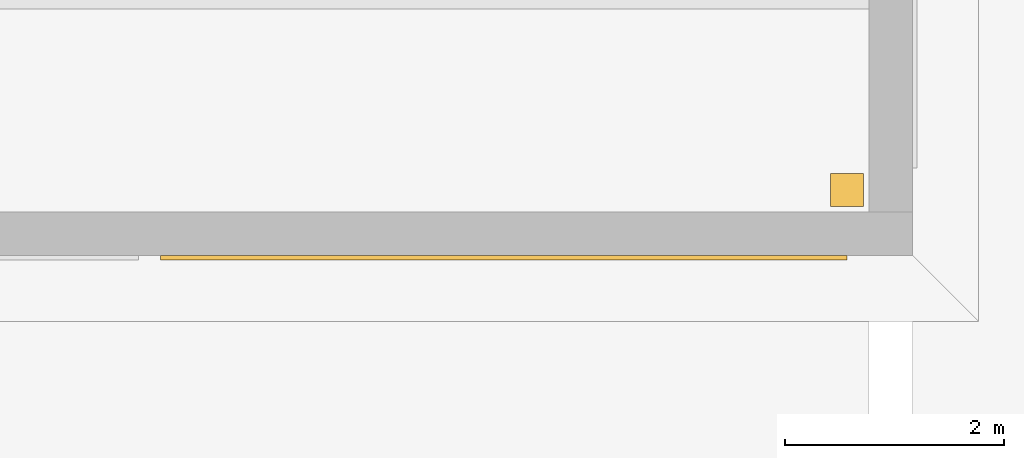
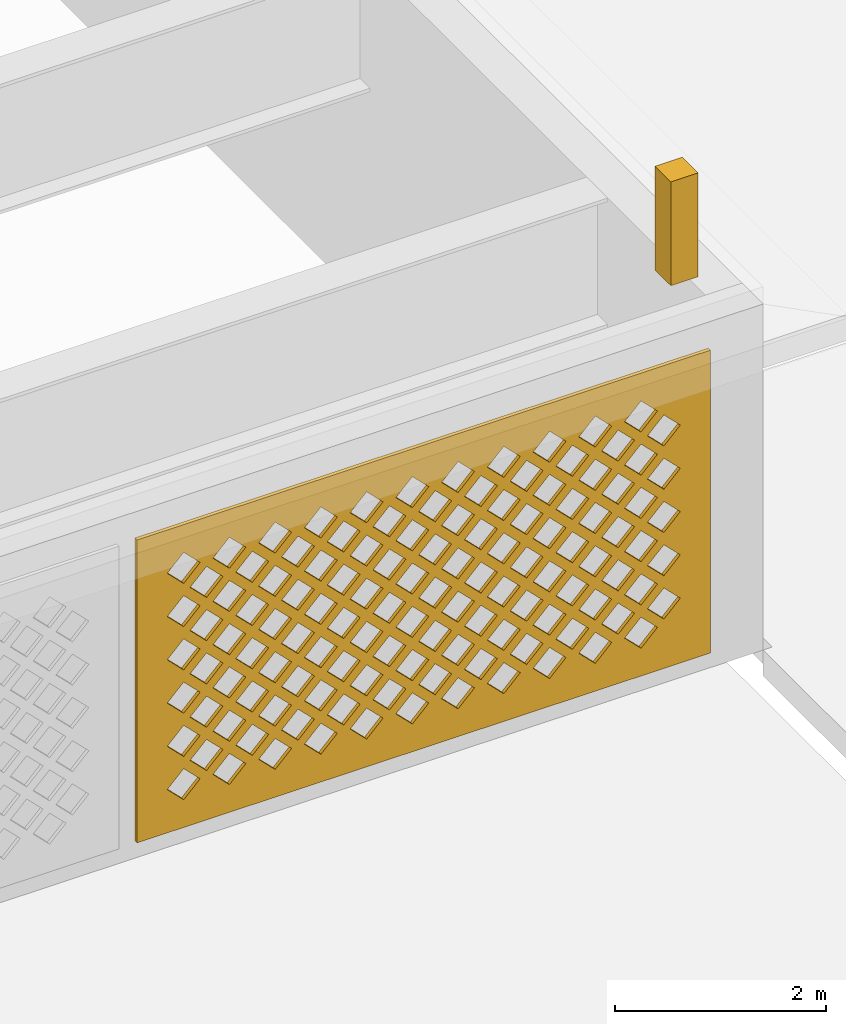
# One storey, part 21 of 63: 2 coverings.
"""IFC4 building model written with IfcOpenShell, lengths in metres."""

import ifcopenshell
import ifcopenshell.guid

model = None  # the IFC model being written
_history = None  # IfcOwnerHistory: only IFC2X3 demands one
_inside = {}  # id of a spatial element -> (the spatial element, [elements in it])
_under = {}  # id of a project, library or spatial element -> (it, [spatial elements below it])
_declared = {}  # id of a project -> (the project, [libraries it declares])
_typed = {}  # id of a type object -> (the type object, [elements of that type])
_made_of = {}  # id of a material, layer set ... -> (it, [elements and type objects made of it])


def new_model(schema):
    """Start an empty IFC model of exactly this schema.

    Asked for "IFC4X3", IfcOpenShell would pick the latest addendum, in which some entities
    have other attributes; the version numbers below select the first issue.
    IFC2X3 requires an IfcOwnerHistory on every rooted entity: one is made here for all.
    """
    global model, _history
    if schema == "IFC4X3":
        model = ifcopenshell.file(schema_version=(4, 3, 0, 0))
    else:
        model = ifcopenshell.file(schema=schema)
    _inside.clear()
    _under.clear()
    _declared.clear()
    _typed.clear()
    _made_of.clear()
    _history = None
    if model.schema == "IFC2X3":
        org = make("IfcOrganization", Name="unknown")
        user = make(
            "IfcPersonAndOrganization",
            ThePerson=make("IfcPerson", FamilyName="unknown"),
            TheOrganization=org,
        )
        app = make(
            "IfcApplication",
            ApplicationDeveloper=org,
            Version="unknown",
            ApplicationFullName="unknown",
            ApplicationIdentifier="unknown",
        )
        _history = make(
            "IfcOwnerHistory",
            OwningUser=user,
            OwningApplication=app,
            ChangeAction="ADDED",
            CreationDate=0,
        )
    return model


def make(cls, **values):
    """One entity of the class cls with the attributes given. An attribute that is None is left unset."""
    return model.create_entity(
        cls, **{name: value for name, value in values.items() if value is not None}
    )


def rooted(cls, **values):
    """An entity with a GlobalId (a new one), such as an element, a storey or a relation."""
    return make(cls, GlobalId=ifcopenshell.guid.new(), OwnerHistory=_history, **values)


def si_unit(unit_type, name, prefix=None):
    """IfcSIUnit, for example si_unit("LENGTHUNIT", "METRE", prefix="MILLI")."""
    return make("IfcSIUnit", UnitType=unit_type, Prefix=prefix, Name=name)


def assignment(units):
    """IfcUnitAssignment: the units of a project."""
    return None if units is None else make("IfcUnitAssignment", Units=units)


def point(xyz):
    """IfcCartesianPoint."""
    return None if xyz is None else make("IfcCartesianPoint", Coordinates=xyz)


def direction(xyz):
    """IfcDirection."""
    return None if xyz is None else make("IfcDirection", DirectionRatios=xyz)


def frame(location, z_axis=None, x_axis=None):
    """IfcAxis2Placement3D, a coordinate frame: its origin and axes. An axis left out is left unset."""
    return make(
        "IfcAxis2Placement3D",
        Location=point(location),
        Axis=direction(z_axis),
        RefDirection=direction(x_axis),
    )


def frame_2d(location, x_axis=None):
    """IfcAxis2Placement2D, a coordinate frame in the plane: its origin and x axis."""
    return make(
        "IfcAxis2Placement2D", Location=point(location), RefDirection=direction(x_axis)
    )


def origin():
    """The frame at (0, 0, 0) with its axes left unset."""
    return frame((0.0, 0.0, 0.0))


def origin_2d():
    """The frame at (0, 0) in the plane with its x axis left unset."""
    return frame_2d((0.0, 0.0))


def place(relative_to, where):
    """IfcLocalPlacement: puts the frame where relative to a parent placement (None: the world)."""
    return make(
        "IfcLocalPlacement", PlacementRelTo=relative_to, RelativePlacement=where
    )


def context(
    kind, dimensions, precision=None, world=None, true_north=None, identifier=None
):
    """IfcGeometricRepresentationContext, for example the 3D "Model" context."""
    return make(
        "IfcGeometricRepresentationContext",
        ContextIdentifier=identifier,
        ContextType=kind,
        CoordinateSpaceDimension=dimensions,
        Precision=precision,
        WorldCoordinateSystem=world,
        TrueNorth=true_north,
    )


def subcontext(parent, identifier, kind, view, scale=None):
    """IfcGeometricRepresentationSubContext, for example "Body" below "Model"."""
    return make(
        "IfcGeometricRepresentationSubContext",
        ContextIdentifier=identifier,
        ContextType=kind,
        ParentContext=parent,
        TargetScale=scale,
        TargetView=view,
    )


def project(units=None, contexts=None):
    """IfcProject with its units and contexts."""
    return rooted(
        "IfcProject",
        Name="project",
        RepresentationContexts=contexts,
        UnitsInContext=assignment(units),
    )


def spatial(cls, under=None, at=None, **own):
    """A site, building, storey or space (cls), placed at a placement, below another one or the project."""
    s = rooted(cls, ObjectPlacement=at, **own)
    if under is not None:
        _under.setdefault(under.id(), (under, []))[1].append(s)
    return s


def polyline(points):
    """IfcPolyline through the points."""
    return make("IfcPolyline", Points=[point(p) for p in points])


def profile(cls, at=None, kind="AREA", **sizes):
    """A parametric profile (cls). Its sizes go by their IFC names, for example OverallWidth=200.0."""
    return make(cls, ProfileType=kind, Position=at, **sizes)


def rectangle(**sizes):
    """IfcRectangleProfileDef."""
    return profile("IfcRectangleProfileDef", **sizes)


def outline(outer, holes=None, kind="AREA"):
    """IfcArbitraryClosedProfileDef: a profile drawn as a closed curve; with holes, ...WithVoids."""
    if holes is None:
        return make("IfcArbitraryClosedProfileDef", ProfileType=kind, OuterCurve=outer)
    return make(
        "IfcArbitraryProfileDefWithVoids",
        ProfileType=kind,
        OuterCurve=outer,
        InnerCurves=holes,
    )


def extrude(swept, where, along, depth):
    """IfcExtrudedAreaSolid: the profile swept, set in the frame where, extruded along a direction by depth."""
    return make(
        "IfcExtrudedAreaSolid",
        SweptArea=swept,
        Position=where,
        ExtrudedDirection=direction(along),
        Depth=depth,
    )


def shape(context_of_items, identifier, shape_type, items):
    """IfcShapeRepresentation: the items that make up one representation, for example the "Body"."""
    return make(
        "IfcShapeRepresentation",
        ContextOfItems=context_of_items,
        RepresentationIdentifier=identifier,
        RepresentationType=shape_type,
        Items=items,
    )


def material(Name=None, Category=None):
    """IfcMaterial."""
    return make("IfcMaterial", Name=Name, Category=Category)


def layer(
    of_material, thickness, ventilated=None, Name=None, Category=None, Priority=None
):
    """IfcMaterialLayer: one layer of a wall or slab, of a material (None: an air gap)."""
    return make(
        "IfcMaterialLayer",
        Material=of_material,
        LayerThickness=thickness,
        IsVentilated=ventilated,
        Name=Name,
        Category=Category,
        Priority=Priority,
    )


def layer_set(layers, Name=None):
    """IfcMaterialLayerSet."""
    return make("IfcMaterialLayerSet", MaterialLayers=layers, LayerSetName=Name)


def made_of(thing, what):
    """Note that an element or type object is made of a material, layer set ...; save() writes the relation."""
    if what is not None:
        _made_of.setdefault(what.id(), (what, []))[1].append(thing)
    return thing


def type_object(cls, material=None, **own):
    """A type object (cls), such as IfcWallType, which elements share."""
    return made_of(rooted(cls, **own), material)


def element(
    cls,
    number,
    at=None,
    inside=None,
    cuts=None,
    type_object=None,
    material=None,
    context=None,
    identifier="Body",
    shape_type=None,
    held_by="IfcProductDefinitionShape",
    body=None,
    shapes=None,
    **own,
):
    """One element of the class cls, such as IfcWall. Its Tag is "e" and its number.

    at: its placement. inside: the storey or other place that contains it. cuts: it is an
    opening in that element (IfcRelVoidsElement). A single representation is given by context,
    identifier, shape_type and body (its items); several are given by shapes. held_by: the class
    of the entity that holds the representations. save() writes the other relations.
    """
    e = rooted(cls, Tag="e%d" % number, ObjectPlacement=at, **own)
    if body is not None:
        shapes = [shape(context, identifier, shape_type, body)]
    if shapes is not None:
        e.Representation = make(held_by, Representations=shapes)
    if inside is not None:
        _inside.setdefault(inside.id(), (inside, []))[1].append(e)
    if cuts is not None:
        rooted(
            "IfcRelVoidsElement", RelatingBuildingElement=cuts, RelatedOpeningElement=e
        )
    if type_object is not None:
        _typed.setdefault(type_object.id(), (type_object, []))[1].append(e)
    return made_of(e, material)


def aggregate(whole, parts):
    """IfcRelAggregates: a whole, such as a stair, and the parts it consists of."""
    return rooted("IfcRelAggregates", RelatingObject=whole, RelatedObjects=parts)


def save(model, path):
    """Write the relations noted so far, then the file.

    IfcRelAggregates (storeys below a building ...), IfcRelContainedInSpatialStructure (elements
    in a storey), IfcRelDefinesByType, IfcRelAssociatesMaterial and IfcRelDeclares: one each for
    every whole, place, type object, material and project.
    """
    for whole, parts in _under.values():
        aggregate(whole, parts)
    for where, things in _inside.values():
        rooted(
            "IfcRelContainedInSpatialStructure",
            RelatedElements=things,
            RelatingStructure=where,
        )
    for kind, things in _typed.values():
        rooted("IfcRelDefinesByType", RelatedObjects=things, RelatingType=kind)
    for what, things in _made_of.values():
        rooted("IfcRelAssociatesMaterial", RelatedObjects=things, RelatingMaterial=what)
    for by, libraries in _declared.values():
        rooted("IfcRelDeclares", RelatingContext=by, RelatedDefinitions=libraries)
    model.write(path)


model = new_model("IFC4")

# Units and contexts
model_context = context("Model", 3, precision=1e-05, world=origin(), true_north=direction((0.0, 1.0)))
body_context = subcontext(model_context, "Body", "Model", "MODEL_VIEW")
ifc_project = project(units=[si_unit("LENGTHUNIT", "METRE"), si_unit("AREAUNIT", "SQUARE_METRE"), si_unit("VOLUMEUNIT", "CUBIC_METRE"), si_unit("PLANEANGLEUNIT", "RADIAN"), si_unit("MASSUNIT", "GRAM", prefix="KILO")], contexts=[model_context])

# Site, building, storey
site_placement = place(None, origin())
site = spatial("IfcSite", under=ifc_project, at=site_placement, CompositionType="ELEMENT")
building_placement = place(site_placement, origin())
building = spatial("IfcBuilding", under=site, at=building_placement, Name="Noorbagh Ring Tower", CompositionType="ELEMENT")
storey_placement = place(building_placement, frame((0.0, 0.0, 25.0)))
storey = spatial("IfcBuildingStorey", under=building, at=storey_placement, Name="L04", CompositionType="ELEMENT", Elevation=25.0)

# Coverings
ifc_material_1 = material(Name="Red sandstone jali", Category="masonry")
ifc_layer = layer(ifc_material_1, 0.0400390625)
ifc_layer_set = layer_set([ifc_layer], Name="Red sandstone jali")
covering_type_1 = type_object("IfcCoveringType", Name="STH-BAND", PredefinedType="USERDEFINED", material=ifc_layer_set)
covering_1_placement = place(storey_placement, frame((-146.666748046875, -13.239990234375, 0.199951171875), z_axis=(0.0, -1.0, 0.0), x_axis=(1.0, 0.0, 0.0)))
element("IfcCovering", 1, at=covering_1_placement, inside=storey, type_object=covering_type_1, Name="Jali band of the stage house", ObjectType="JALI SCREEN", PredefinedType="USERDEFINED", context=body_context, shape_type="SweptSolid", body=[
    extrude(outline(polyline([(0.0, 0.0), (6.266845703125, 0.0), (6.266845703125, 3.5), (0.0, 3.5), (0.0, 0.0)]), holes=[polyline([(0.328369140625, 0.5), (0.50830078125, 0.320068359375), (0.688232421875, 0.5), (0.50830078125, 0.679931640625), (0.328369140625, 0.5)]), polyline([(0.828369140625, 0.5), (1.00830078125, 0.320068359375), (1.188232421875, 0.5), (1.00830078125, 0.679931640625), (0.828369140625, 0.5)]), polyline([(1.328369140625, 0.5), (1.50830078125, 0.320068359375), (1.688232421875, 0.5), (1.50830078125, 0.679931640625), (1.328369140625, 0.5)]), polyline([(1.828369140625, 0.5), (2.00830078125, 0.320068359375), (2.188232421875, 0.5), (2.00830078125, 0.679931640625), (1.828369140625, 0.5)]), polyline([(2.328369140625, 0.5), (2.50830078125, 0.320068359375), (2.688232421875, 0.5), (2.50830078125, 0.679931640625), (2.328369140625, 0.5)]), polyline([(2.828369140625, 0.5), (3.00830078125, 0.320068359375), (3.188232421875, 0.5), (3.00830078125, 0.679931640625), (2.828369140625, 0.5)]), polyline([(3.328369140625, 0.5), (3.50830078125, 0.320068359375), (3.688232421875, 0.5), (3.50830078125, 0.679931640625), (3.328369140625, 0.5)]), polyline([(3.828369140625, 0.5), (4.00830078125, 0.320068359375), (4.188232421875, 0.5), (4.00830078125, 0.679931640625), (3.828369140625, 0.5)]), polyline([(4.328369140625, 0.5), (4.50830078125, 0.320068359375), (4.688232421875, 0.5), (4.50830078125, 0.679931640625), (4.328369140625, 0.5)]), polyline([(4.828369140625, 0.5), (5.00830078125, 0.320068359375), (5.188232421875, 0.5), (5.00830078125, 0.679931640625), (4.828369140625, 0.5)]), polyline([(5.328369140625, 0.5), (5.50830078125, 0.320068359375), (5.688232421875, 0.5), (5.50830078125, 0.679931640625), (5.328369140625, 0.5)]), polyline([(0.578369140625, 0.75), (0.75830078125, 0.570068359375), (0.938232421875, 0.75), (0.75830078125, 0.929931640625), (0.578369140625, 0.75)]), polyline([(1.078369140625, 0.75), (1.25830078125, 0.570068359375), (1.438232421875, 0.75), (1.25830078125, 0.929931640625), (1.078369140625, 0.75)]), polyline([(1.578369140625, 0.75), (1.75830078125, 0.570068359375), (1.938232421875, 0.75), (1.75830078125, 0.929931640625), (1.578369140625, 0.75)]), polyline([(2.078369140625, 0.75), (2.25830078125, 0.570068359375), (2.438232421875, 0.75), (2.25830078125, 0.929931640625), (2.078369140625, 0.75)]), polyline([(2.578369140625, 0.75), (2.75830078125, 0.570068359375), (2.938232421875, 0.75), (2.75830078125, 0.929931640625), (2.578369140625, 0.75)]), polyline([(3.078369140625, 0.75), (3.25830078125, 0.570068359375), (3.438232421875, 0.75), (3.25830078125, 0.929931640625), (3.078369140625, 0.75)]), polyline([(3.578369140625, 0.75), (3.75830078125, 0.570068359375), (3.938232421875, 0.75), (3.75830078125, 0.929931640625), (3.578369140625, 0.75)]), polyline([(4.078369140625, 0.75), (4.25830078125, 0.570068359375), (4.438232421875, 0.75), (4.25830078125, 0.929931640625), (4.078369140625, 0.75)]), polyline([(4.578369140625, 0.75), (4.75830078125, 0.570068359375), (4.938232421875, 0.75), (4.75830078125, 0.929931640625), (4.578369140625, 0.75)]), polyline([(5.078369140625, 0.75), (5.25830078125, 0.570068359375), (5.438232421875, 0.75), (5.25830078125, 0.929931640625), (5.078369140625, 0.75)]), polyline([(5.578369140625, 0.75), (5.75830078125, 0.570068359375), (5.938232421875, 0.75), (5.75830078125, 0.929931640625), (5.578369140625, 0.75)]), polyline([(0.328369140625, 1.0), (0.50830078125, 0.820068359375), (0.688232421875, 1.0), (0.50830078125, 1.179931640625), (0.328369140625, 1.0)]), polyline([(0.828369140625, 1.0), (1.00830078125, 0.820068359375), (1.188232421875, 1.0), (1.00830078125, 1.179931640625), (0.828369140625, 1.0)]), polyline([(1.328369140625, 1.0), (1.50830078125, 0.820068359375), (1.688232421875, 1.0), (1.50830078125, 1.179931640625), (1.328369140625, 1.0)]), polyline([(1.828369140625, 1.0), (2.00830078125, 0.820068359375), (2.188232421875, 1.0), (2.00830078125, 1.179931640625), (1.828369140625, 1.0)]), polyline([(2.328369140625, 1.0), (2.50830078125, 0.820068359375), (2.688232421875, 1.0), (2.50830078125, 1.179931640625), (2.328369140625, 1.0)]), polyline([(2.828369140625, 1.0), (3.00830078125, 0.820068359375), (3.188232421875, 1.0), (3.00830078125, 1.179931640625), (2.828369140625, 1.0)]), polyline([(3.328369140625, 1.0), (3.50830078125, 0.820068359375), (3.688232421875, 1.0), (3.50830078125, 1.179931640625), (3.328369140625, 1.0)]), polyline([(3.828369140625, 1.0), (4.00830078125, 0.820068359375), (4.188232421875, 1.0), (4.00830078125, 1.179931640625), (3.828369140625, 1.0)]), polyline([(4.328369140625, 1.0), (4.50830078125, 0.820068359375), (4.688232421875, 1.0), (4.50830078125, 1.179931640625), (4.328369140625, 1.0)]), polyline([(4.828369140625, 1.0), (5.00830078125, 0.820068359375), (5.188232421875, 1.0), (5.00830078125, 1.179931640625), (4.828369140625, 1.0)]), polyline([(5.328369140625, 1.0), (5.50830078125, 0.820068359375), (5.688232421875, 1.0), (5.50830078125, 1.179931640625), (5.328369140625, 1.0)]), polyline([(0.578369140625, 1.25), (0.75830078125, 1.070068359375), (0.938232421875, 1.25), (0.75830078125, 1.429931640625), (0.578369140625, 1.25)]), polyline([(1.078369140625, 1.25), (1.25830078125, 1.070068359375), (1.438232421875, 1.25), (1.25830078125, 1.429931640625), (1.078369140625, 1.25)]), polyline([(1.578369140625, 1.25), (1.75830078125, 1.070068359375), (1.938232421875, 1.25), (1.75830078125, 1.429931640625), (1.578369140625, 1.25)]), polyline([(2.078369140625, 1.25), (2.25830078125, 1.070068359375), (2.438232421875, 1.25), (2.25830078125, 1.429931640625), (2.078369140625, 1.25)]), polyline([(2.578369140625, 1.25), (2.75830078125, 1.070068359375), (2.938232421875, 1.25), (2.75830078125, 1.429931640625), (2.578369140625, 1.25)]), polyline([(3.078369140625, 1.25), (3.25830078125, 1.070068359375), (3.438232421875, 1.25), (3.25830078125, 1.429931640625), (3.078369140625, 1.25)]), polyline([(3.578369140625, 1.25), (3.75830078125, 1.070068359375), (3.938232421875, 1.25), (3.75830078125, 1.429931640625), (3.578369140625, 1.25)]), polyline([(4.078369140625, 1.25), (4.25830078125, 1.070068359375), (4.438232421875, 1.25), (4.25830078125, 1.429931640625), (4.078369140625, 1.25)]), polyline([(4.578369140625, 1.25), (4.75830078125, 1.070068359375), (4.938232421875, 1.25), (4.75830078125, 1.429931640625), (4.578369140625, 1.25)]), polyline([(5.078369140625, 1.25), (5.25830078125, 1.070068359375), (5.438232421875, 1.25), (5.25830078125, 1.429931640625), (5.078369140625, 1.25)]), polyline([(5.578369140625, 1.25), (5.75830078125, 1.070068359375), (5.938232421875, 1.25), (5.75830078125, 1.429931640625), (5.578369140625, 1.25)]), polyline([(0.328369140625, 1.5), (0.50830078125, 1.320068359375), (0.688232421875, 1.5), (0.50830078125, 1.679931640625), (0.328369140625, 1.5)]), polyline([(0.828369140625, 1.5), (1.00830078125, 1.320068359375), (1.188232421875, 1.5), (1.00830078125, 1.679931640625), (0.828369140625, 1.5)]), polyline([(1.328369140625, 1.5), (1.50830078125, 1.320068359375), (1.688232421875, 1.5), (1.50830078125, 1.679931640625), (1.328369140625, 1.5)]), polyline([(1.828369140625, 1.5), (2.00830078125, 1.320068359375), (2.188232421875, 1.5), (2.00830078125, 1.679931640625), (1.828369140625, 1.5)]), polyline([(2.328369140625, 1.5), (2.50830078125, 1.320068359375), (2.688232421875, 1.5), (2.50830078125, 1.679931640625), (2.328369140625, 1.5)]), polyline([(2.828369140625, 1.5), (3.00830078125, 1.320068359375), (3.188232421875, 1.5), (3.00830078125, 1.679931640625), (2.828369140625, 1.5)]), polyline([(3.328369140625, 1.5), (3.50830078125, 1.320068359375), (3.688232421875, 1.5), (3.50830078125, 1.679931640625), (3.328369140625, 1.5)]), polyline([(3.828369140625, 1.5), (4.00830078125, 1.320068359375), (4.188232421875, 1.5), (4.00830078125, 1.679931640625), (3.828369140625, 1.5)]), polyline([(4.328369140625, 1.5), (4.50830078125, 1.320068359375), (4.688232421875, 1.5), (4.50830078125, 1.679931640625), (4.328369140625, 1.5)]), polyline([(4.828369140625, 1.5), (5.00830078125, 1.320068359375), (5.188232421875, 1.5), (5.00830078125, 1.679931640625), (4.828369140625, 1.5)]), polyline([(5.328369140625, 1.5), (5.50830078125, 1.320068359375), (5.688232421875, 1.5), (5.50830078125, 1.679931640625), (5.328369140625, 1.5)]), polyline([(0.578369140625, 1.75), (0.75830078125, 1.570068359375), (0.938232421875, 1.75), (0.75830078125, 1.929931640625), (0.578369140625, 1.75)]), polyline([(1.078369140625, 1.75), (1.25830078125, 1.570068359375), (1.438232421875, 1.75), (1.25830078125, 1.929931640625), (1.078369140625, 1.75)]), polyline([(1.578369140625, 1.75), (1.75830078125, 1.570068359375), (1.938232421875, 1.75), (1.75830078125, 1.929931640625), (1.578369140625, 1.75)]), polyline([(2.078369140625, 1.75), (2.25830078125, 1.570068359375), (2.438232421875, 1.75), (2.25830078125, 1.929931640625), (2.078369140625, 1.75)]), polyline([(2.578369140625, 1.75), (2.75830078125, 1.570068359375), (2.938232421875, 1.75), (2.75830078125, 1.929931640625), (2.578369140625, 1.75)]), polyline([(3.078369140625, 1.75), (3.25830078125, 1.570068359375), (3.438232421875, 1.75), (3.25830078125, 1.929931640625), (3.078369140625, 1.75)]), polyline([(3.578369140625, 1.75), (3.75830078125, 1.570068359375), (3.938232421875, 1.75), (3.75830078125, 1.929931640625), (3.578369140625, 1.75)]), polyline([(4.078369140625, 1.75), (4.25830078125, 1.570068359375), (4.438232421875, 1.75), (4.25830078125, 1.929931640625), (4.078369140625, 1.75)]), polyline([(4.578369140625, 1.75), (4.75830078125, 1.570068359375), (4.938232421875, 1.75), (4.75830078125, 1.929931640625), (4.578369140625, 1.75)]), polyline([(5.078369140625, 1.75), (5.25830078125, 1.570068359375), (5.438232421875, 1.75), (5.25830078125, 1.929931640625), (5.078369140625, 1.75)]), polyline([(5.578369140625, 1.75), (5.75830078125, 1.570068359375), (5.938232421875, 1.75), (5.75830078125, 1.929931640625), (5.578369140625, 1.75)]), polyline([(0.328369140625, 2.0), (0.50830078125, 1.820068359375), (0.688232421875, 2.0), (0.50830078125, 2.179931640625), (0.328369140625, 2.0)]), polyline([(0.828369140625, 2.0), (1.00830078125, 1.820068359375), (1.188232421875, 2.0), (1.00830078125, 2.179931640625), (0.828369140625, 2.0)]), polyline([(1.328369140625, 2.0), (1.50830078125, 1.820068359375), (1.688232421875, 2.0), (1.50830078125, 2.179931640625), (1.328369140625, 2.0)]), polyline([(1.828369140625, 2.0), (2.00830078125, 1.820068359375), (2.188232421875, 2.0), (2.00830078125, 2.179931640625), (1.828369140625, 2.0)]), polyline([(2.328369140625, 2.0), (2.50830078125, 1.820068359375), (2.688232421875, 2.0), (2.50830078125, 2.179931640625), (2.328369140625, 2.0)]), polyline([(2.828369140625, 2.0), (3.00830078125, 1.820068359375), (3.188232421875, 2.0), (3.00830078125, 2.179931640625), (2.828369140625, 2.0)]), polyline([(3.328369140625, 2.0), (3.50830078125, 1.820068359375), (3.688232421875, 2.0), (3.50830078125, 2.179931640625), (3.328369140625, 2.0)]), polyline([(3.828369140625, 2.0), (4.00830078125, 1.820068359375), (4.188232421875, 2.0), (4.00830078125, 2.179931640625), (3.828369140625, 2.0)]), polyline([(4.328369140625, 2.0), (4.50830078125, 1.820068359375), (4.688232421875, 2.0), (4.50830078125, 2.179931640625), (4.328369140625, 2.0)]), polyline([(4.828369140625, 2.0), (5.00830078125, 1.820068359375), (5.188232421875, 2.0), (5.00830078125, 2.179931640625), (4.828369140625, 2.0)]), polyline([(5.328369140625, 2.0), (5.50830078125, 1.820068359375), (5.688232421875, 2.0), (5.50830078125, 2.179931640625), (5.328369140625, 2.0)]), polyline([(0.578369140625, 2.25), (0.75830078125, 2.070068359375), (0.938232421875, 2.25), (0.75830078125, 2.429931640625), (0.578369140625, 2.25)]), polyline([(1.078369140625, 2.25), (1.25830078125, 2.070068359375), (1.438232421875, 2.25), (1.25830078125, 2.429931640625), (1.078369140625, 2.25)]), polyline([(1.578369140625, 2.25), (1.75830078125, 2.070068359375), (1.938232421875, 2.25), (1.75830078125, 2.429931640625), (1.578369140625, 2.25)]), polyline([(2.078369140625, 2.25), (2.25830078125, 2.070068359375), (2.438232421875, 2.25), (2.25830078125, 2.429931640625), (2.078369140625, 2.25)]), polyline([(2.578369140625, 2.25), (2.75830078125, 2.070068359375), (2.938232421875, 2.25), (2.75830078125, 2.429931640625), (2.578369140625, 2.25)]), polyline([(3.078369140625, 2.25), (3.25830078125, 2.070068359375), (3.438232421875, 2.25), (3.25830078125, 2.429931640625), (3.078369140625, 2.25)]), polyline([(3.578369140625, 2.25), (3.75830078125, 2.070068359375), (3.938232421875, 2.25), (3.75830078125, 2.429931640625), (3.578369140625, 2.25)]), polyline([(4.078369140625, 2.25), (4.25830078125, 2.070068359375), (4.438232421875, 2.25), (4.25830078125, 2.429931640625), (4.078369140625, 2.25)]), polyline([(4.578369140625, 2.25), (4.75830078125, 2.070068359375), (4.938232421875, 2.25), (4.75830078125, 2.429931640625), (4.578369140625, 2.25)]), polyline([(5.078369140625, 2.25), (5.25830078125, 2.070068359375), (5.438232421875, 2.25), (5.25830078125, 2.429931640625), (5.078369140625, 2.25)]), polyline([(5.578369140625, 2.25), (5.75830078125, 2.070068359375), (5.938232421875, 2.25), (5.75830078125, 2.429931640625), (5.578369140625, 2.25)]), polyline([(0.328369140625, 2.5), (0.50830078125, 2.320068359375), (0.688232421875, 2.5), (0.50830078125, 2.679931640625), (0.328369140625, 2.5)]), polyline([(0.828369140625, 2.5), (1.00830078125, 2.320068359375), (1.188232421875, 2.5), (1.00830078125, 2.679931640625), (0.828369140625, 2.5)]), polyline([(1.328369140625, 2.5), (1.50830078125, 2.320068359375), (1.688232421875, 2.5), (1.50830078125, 2.679931640625), (1.328369140625, 2.5)]), polyline([(1.828369140625, 2.5), (2.00830078125, 2.320068359375), (2.188232421875, 2.5), (2.00830078125, 2.679931640625), (1.828369140625, 2.5)]), polyline([(2.328369140625, 2.5), (2.50830078125, 2.320068359375), (2.688232421875, 2.5), (2.50830078125, 2.679931640625), (2.328369140625, 2.5)]), polyline([(2.828369140625, 2.5), (3.00830078125, 2.320068359375), (3.188232421875, 2.5), (3.00830078125, 2.679931640625), (2.828369140625, 2.5)]), polyline([(3.328369140625, 2.5), (3.50830078125, 2.320068359375), (3.688232421875, 2.5), (3.50830078125, 2.679931640625), (3.328369140625, 2.5)]), polyline([(3.828369140625, 2.5), (4.00830078125, 2.320068359375), (4.188232421875, 2.5), (4.00830078125, 2.679931640625), (3.828369140625, 2.5)]), polyline([(4.328369140625, 2.5), (4.50830078125, 2.320068359375), (4.688232421875, 2.5), (4.50830078125, 2.679931640625), (4.328369140625, 2.5)]), polyline([(4.828369140625, 2.5), (5.00830078125, 2.320068359375), (5.188232421875, 2.5), (5.00830078125, 2.679931640625), (4.828369140625, 2.5)]), polyline([(5.328369140625, 2.5), (5.50830078125, 2.320068359375), (5.688232421875, 2.5), (5.50830078125, 2.679931640625), (5.328369140625, 2.5)]), polyline([(0.578369140625, 2.75), (0.75830078125, 2.570068359375), (0.938232421875, 2.75), (0.75830078125, 2.929931640625), (0.578369140625, 2.75)]), polyline([(1.078369140625, 2.75), (1.25830078125, 2.570068359375), (1.438232421875, 2.75), (1.25830078125, 2.929931640625), (1.078369140625, 2.75)]), polyline([(1.578369140625, 2.75), (1.75830078125, 2.570068359375), (1.938232421875, 2.75), (1.75830078125, 2.929931640625), (1.578369140625, 2.75)]), polyline([(2.078369140625, 2.75), (2.25830078125, 2.570068359375), (2.438232421875, 2.75), (2.25830078125, 2.929931640625), (2.078369140625, 2.75)]), polyline([(2.578369140625, 2.75), (2.75830078125, 2.570068359375), (2.938232421875, 2.75), (2.75830078125, 2.929931640625), (2.578369140625, 2.75)]), polyline([(3.078369140625, 2.75), (3.25830078125, 2.570068359375), (3.438232421875, 2.75), (3.25830078125, 2.929931640625), (3.078369140625, 2.75)]), polyline([(3.578369140625, 2.75), (3.75830078125, 2.570068359375), (3.938232421875, 2.75), (3.75830078125, 2.929931640625), (3.578369140625, 2.75)]), polyline([(4.078369140625, 2.75), (4.25830078125, 2.570068359375), (4.438232421875, 2.75), (4.25830078125, 2.929931640625), (4.078369140625, 2.75)]), polyline([(4.578369140625, 2.75), (4.75830078125, 2.570068359375), (4.938232421875, 2.75), (4.75830078125, 2.929931640625), (4.578369140625, 2.75)]), polyline([(5.078369140625, 2.75), (5.25830078125, 2.570068359375), (5.438232421875, 2.75), (5.25830078125, 2.929931640625), (5.078369140625, 2.75)]), polyline([(5.578369140625, 2.75), (5.75830078125, 2.570068359375), (5.938232421875, 2.75), (5.75830078125, 2.929931640625), (5.578369140625, 2.75)]), polyline([(0.328369140625, 3.0), (0.50830078125, 2.820068359375), (0.688232421875, 3.0), (0.50830078125, 3.179931640625), (0.328369140625, 3.0)]), polyline([(0.828369140625, 3.0), (1.00830078125, 2.820068359375), (1.188232421875, 3.0), (1.00830078125, 3.179931640625), (0.828369140625, 3.0)]), polyline([(1.328369140625, 3.0), (1.50830078125, 2.820068359375), (1.688232421875, 3.0), (1.50830078125, 3.179931640625), (1.328369140625, 3.0)]), polyline([(1.828369140625, 3.0), (2.00830078125, 2.820068359375), (2.188232421875, 3.0), (2.00830078125, 3.179931640625), (1.828369140625, 3.0)]), polyline([(2.328369140625, 3.0), (2.50830078125, 2.820068359375), (2.688232421875, 3.0), (2.50830078125, 3.179931640625), (2.328369140625, 3.0)]), polyline([(2.828369140625, 3.0), (3.00830078125, 2.820068359375), (3.188232421875, 3.0), (3.00830078125, 3.179931640625), (2.828369140625, 3.0)]), polyline([(3.328369140625, 3.0), (3.50830078125, 2.820068359375), (3.688232421875, 3.0), (3.50830078125, 3.179931640625), (3.328369140625, 3.0)]), polyline([(3.828369140625, 3.0), (4.00830078125, 2.820068359375), (4.188232421875, 3.0), (4.00830078125, 3.179931640625), (3.828369140625, 3.0)]), polyline([(4.328369140625, 3.0), (4.50830078125, 2.820068359375), (4.688232421875, 3.0), (4.50830078125, 3.179931640625), (4.328369140625, 3.0)]), polyline([(4.828369140625, 3.0), (5.00830078125, 2.820068359375), (5.188232421875, 3.0), (5.00830078125, 3.179931640625), (4.828369140625, 3.0)]), polyline([(5.328369140625, 3.0), (5.50830078125, 2.820068359375), (5.688232421875, 3.0), (5.50830078125, 3.179931640625), (5.328369140625, 3.0)])]), origin(), (0.0, 0.0, -1.0), 0.0400390625),
])
ifc_material_2 = material(Name="Brass finial")
covering_type_2 = type_object("IfcCoveringType", Name="STH-FINIAL", PredefinedType="ROOFING", material=ifc_material_2)
covering_2_placement = place(storey_placement, frame((-140.39990234375, -12.60009765625, 4.2001953125), z_axis=(0.0, 0.0, 1.0), x_axis=(1.0, 0.0, 0.0)))
element("IfcCovering", 2, at=covering_2_placement, inside=storey, type_object=covering_type_2, Name="Corner finial of the stage house", PredefinedType="ROOFING", context=body_context, shape_type="SweptSolid", body=[
    extrude(rectangle(XDim=0.300048828125, YDim=0.300048828125, at=origin_2d()), origin(), (0.0, 0.0, 1.0), 1.199951171875),
])

save(model, "model.ifc")
